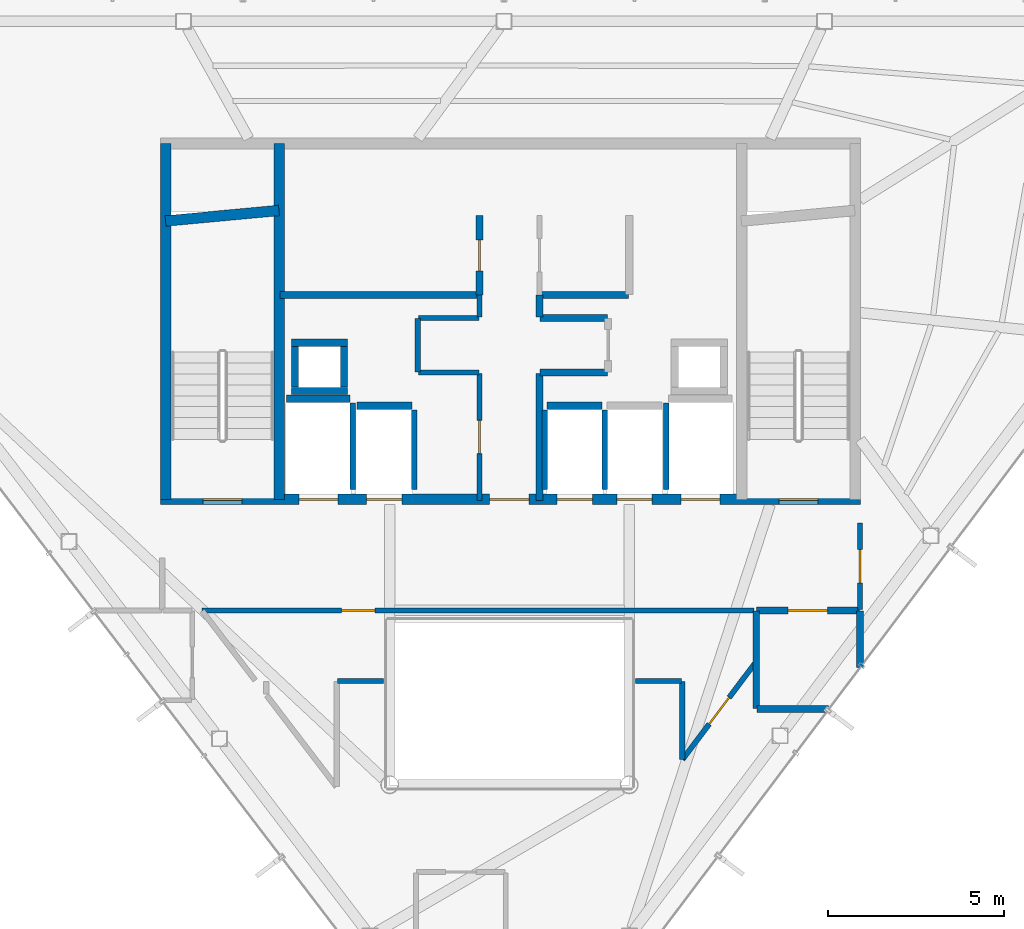
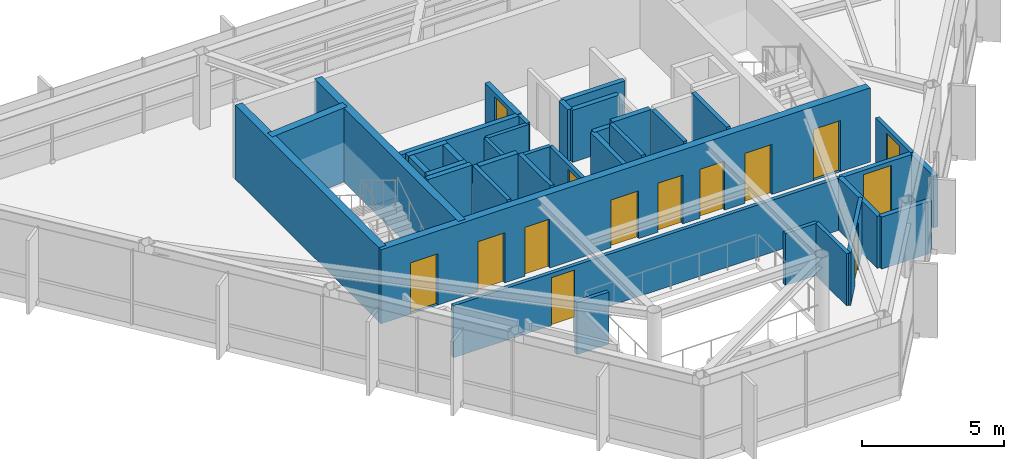
# One storey, part 20 of 22: 38 walls, 14 doors, 14 openings.
"""IFC4 building model written with IfcOpenShell, lengths in metres."""

from ifc_helpers import new_model, si_unit, direction, frame, frame_2d, origin, place, context, subcontext, project, spatial, rectangle, extrude, material, layer, layer_set, type_object, element, fill, save


model = new_model("IFC4")

# Units and contexts
model_context = context("Model", 3, precision=1e-05, world=origin(), true_north=direction((0.0, 1.0)))
body_context = subcontext(model_context, "Body", "Model", "MODEL_VIEW")
ifc_project = project(units=[si_unit("LENGTHUNIT", "METRE"), si_unit("AREAUNIT", "SQUARE_METRE"), si_unit("VOLUMEUNIT", "CUBIC_METRE"), si_unit("PLANEANGLEUNIT", "RADIAN"), si_unit("MASSUNIT", "GRAM", prefix="KILO")], contexts=[model_context])

# Site, building, storey
site_placement = place(None, origin())
site = spatial("IfcSite", under=ifc_project, at=site_placement, CompositionType="ELEMENT")
building_placement = place(site_placement, origin())
building = spatial("IfcBuilding", under=site, at=building_placement, Name="Zarrinselat Tower", CompositionType="ELEMENT")
storey_placement = place(building_placement, frame((0.0, 0.0, 292.39990234375)))
storey = spatial("IfcBuildingStorey", under=building, at=storey_placement, Name="L75", CompositionType="ELEMENT", Elevation=292.39990234375)

# Wall, opening, door
ifc_material_1 = material(Name="Concrete C40/50", Category="concrete")
ifc_layer_1 = layer(ifc_material_1, 0.18994140625)
ifc_layer_set_1 = layer_set([ifc_layer_1], Name="Concrete C40/50")
wall_type_1 = type_object("IfcWallType", Name="WAL-PART-EI120", PredefinedType="PARTITIONING", material=ifc_layer_set_1)
wall_1_placement = place(storey_placement, frame((45.405029296875, 30.14990234375, 0.0), z_axis=(0.0, 0.0, 1.0), x_axis=(1.0, 0.0, 0.0)))
wall_1 = element("IfcWall", 1, at=wall_1_placement, inside=storey, type_object=wall_type_1, Name="L75 Partition Wall 16", PredefinedType="PARTITIONING", context=body_context, shape_type="SweptSolid", body=[
    extrude(rectangle(XDim=2.925048828125, YDim=0.18994140625, at=frame_2d((1.46240234375, 0.0))), origin(), (0.0, 0.0, 1.0), 2.235107421875),
])
opening_1_placement = place(wall_1_placement, frame((0.902587890625, 0.0, 0.0)))
opening_1 = element("IfcOpeningElement", 2, at=opening_1_placement, cuts=wall_1, Name="Opening ID-02", PredefinedType="OPENING", context=body_context, shape_type="SweptSolid", body=[
    extrude(rectangle(XDim=1.1201171875, YDim=2.050048828125, at=frame_2d((0.56005859375, 1.02490234375))), frame((0.0, 0.10498046875, 0.0), z_axis=(0.0, -1.0, 0.0), x_axis=(1.0, 0.0, 0.0)), (0.0, 0.0, 1.0), 0.2099609375),
])
ifc_material_2 = material(Name="Steel S355J2", Category="steel")
door_type_1 = type_object("IfcDoorType", Name="DR-INT-FD60-W", OperationType="NOTDEFINED", PredefinedType="DOOR", material=ifc_material_2)
door_1_placement = place(opening_1_placement, origin())
door_1 = element("IfcDoor", 3, at=door_1_placement, inside=storey, type_object=door_type_1, Name="L75 Interior Door P16", OperationType="SINGLE_SWING_RIGHT", OverallHeight=2.050048828125, OverallWidth=1.1201171875, PredefinedType="DOOR", context=body_context, shape_type="SweptSolid", body=[
    extrude(rectangle(XDim=1.1201171875, YDim=2.050048828125, at=frame_2d((0.56005859375, 1.02490234375))), frame((0.0, 0.02490234375, 0.0), z_axis=(0.0, -1.0, 0.0), x_axis=(1.0, 0.0, 0.0)), (0.0, 0.0, 1.0), 0.050048828125),
])
fill(opening_1, door_1)

# Walls
wall_2_placement = place(storey_placement, frame((45.39990234375, 27.3701171875, 0.0), z_axis=(0.0, 0.0, 1.0), x_axis=(0.0, 1.0, 0.0)))
element("IfcWall", 4, at=wall_2_placement, inside=storey, type_object=wall_type_1, Name="L75 Partition Wall 21", PredefinedType="PARTITIONING", context=body_context, shape_type="SweptSolid", body=[
    extrude(rectangle(XDim=2.759765625, YDim=0.18994140625, at=frame_2d((1.3798828125, 0.0))), origin(), (0.0, 0.0, 1.0), 2.235107421875),
])
wall_3_placement = place(storey_placement, frame((45.419921875, 27.35009765625, 0.0), z_axis=(0.0, 0.0, 1.0), x_axis=(1.0, 0.0, 0.0)))
element("IfcWall", 5, at=wall_3_placement, inside=storey, type_object=wall_type_1, Name="L75 Partition Wall 22", PredefinedType="PARTITIONING", context=body_context, shape_type="SweptSolid", body=[
    extrude(rectangle(XDim=2.032470703125, YDim=0.18994140625, at=frame_2d((1.01611328125, 0.0))), origin(), (0.0, 0.0, 1.0), 2.235107421875),
])
wall_4_placement = place(storey_placement, frame((48.35009765625, 28.53662109375, 0.0), z_axis=(0.0, 0.0, 1.0), x_axis=(0.0, 1.0, 0.0)))
element("IfcWall", 6, at=wall_4_placement, inside=storey, type_object=wall_type_1, Name="L75 Partition Wall 23", PredefinedType="PARTITIONING", context=body_context, shape_type="SweptSolid", body=[
    extrude(rectangle(XDim=1.59326171875, YDim=0.18994140625, at=frame_2d((0.796630859375, 0.0))), origin(), (0.0, 0.0, 1.0), 2.235107421875),
])

# Wall, opening, door
ifc_material_3 = material(Name="Fire-Rated Gypsum Board Partition", Category="gypsum")
ifc_layer_2 = layer(ifc_material_3, 0.14990234375)
ifc_layer_set_2 = layer_set([ifc_layer_2], Name="Fire-Rated Gypsum Board Partition")
wall_type_2 = type_object("IfcWallType", Name="WAL-PART-EI60", PredefinedType="PARTITIONING", material=ifc_layer_set_2)
wall_5_placement = place(storey_placement, frame((37.550048828125, 33.264892578125, 0.0), z_axis=(0.0, 0.0, 1.0), x_axis=(0.0, 1.0, 0.0)))
wall_5 = element("IfcWall", 7, at=wall_5_placement, inside=storey, type_object=wall_type_2, Name="L75 Partition Wall 1", PredefinedType="PARTITIONING", context=body_context, shape_type="SweptSolid", body=[
    extrude(rectangle(XDim=3.614990234375, YDim=0.14990234375, at=frame_2d((1.8076171875, 0.0))), origin(), (0.0, 0.0, 1.0), 2.235107421875),
])
opening_2_placement = place(wall_5_placement, frame((1.33740234375, 0.0, 0.0)))
opening_2 = element("IfcOpeningElement", 8, at=opening_2_placement, cuts=wall_5, Name="Opening ID-04", PredefinedType="OPENING", context=body_context, shape_type="SweptSolid", body=[
    extrude(rectangle(XDim=0.93994140625, YDim=2.050048828125, at=frame_2d((0.469970703125, 1.02490234375))), frame((0.0, 0.0849609375, 0.0), z_axis=(0.0, -1.0, 0.0), x_axis=(1.0, 0.0, 0.0)), (0.0, 0.0, 1.0), 0.169921875),
])
ifc_material_4 = material(Name="Fire-Rated Gypsum Board Partition")
door_type_2 = type_object("IfcDoorType", Name="DR-INT-FD30-ENT", OperationType="NOTDEFINED", PredefinedType="DOOR", material=ifc_material_4)
door_2_placement = place(opening_2_placement, origin())
door_2 = element("IfcDoor", 9, at=door_2_placement, inside=storey, type_object=door_type_2, Name="L75 Interior Door P1", OperationType="SINGLE_SWING_RIGHT", OverallHeight=2.050048828125, OverallWidth=0.93994140625, PredefinedType="DOOR", context=body_context, shape_type="SweptSolid", body=[
    extrude(rectangle(XDim=0.93994140625, YDim=2.050048828125, at=frame_2d((0.469970703125, 1.02490234375))), frame((0.0, 0.02490234375, 0.0), z_axis=(0.0, -1.0, 0.0), x_axis=(1.0, 0.0, 0.0)), (0.0, 0.0, 1.0), 0.050048828125),
])
fill(opening_2, door_2)

# Walls
wall_6_placement = place(storey_placement, frame((35.820068359375, 36.89990234375, 0.0), z_axis=(0.0, 0.0, 1.0), x_axis=(1.0, 0.0, 0.0)))
element("IfcWall", 10, at=wall_6_placement, inside=storey, type_object=wall_type_2, Name="L75 Partition Wall 2", PredefinedType="PARTITIONING", context=body_context, shape_type="SweptSolid", body=[
    extrude(rectangle(XDim=1.7099609375, YDim=0.14990234375, at=frame_2d((0.85498046875, 0.0))), origin(), (0.0, 0.0, 1.0), 2.235107421875),
])
wall_7_placement = place(storey_placement, frame((35.800048828125, 36.919921875, 0.0), z_axis=(0.0, 0.0, 1.0), x_axis=(0.0, 1.0, 0.0)))
element("IfcWall", 11, at=wall_7_placement, inside=storey, type_object=wall_type_2, Name="L75 Partition Wall 3", PredefinedType="PARTITIONING", context=body_context, shape_type="SweptSolid", body=[
    extrude(rectangle(XDim=1.510009765625, YDim=0.14990234375, at=frame_2d((0.7548828125, 0.0))), origin(), (0.0, 0.0, 1.0), 2.235107421875),
])
wall_8_placement = place(storey_placement, frame((35.820068359375, 38.449951171875, 0.0), z_axis=(0.0, 0.0, 1.0), x_axis=(1.0, 0.0, 0.0)))
element("IfcWall", 12, at=wall_8_placement, inside=storey, type_object=wall_type_2, Name="L75 Partition Wall 4", PredefinedType="PARTITIONING", context=body_context, shape_type="SweptSolid", body=[
    extrude(rectangle(XDim=1.7099609375, YDim=0.14990234375, at=frame_2d((0.85498046875, 0.0))), origin(), (0.0, 0.0, 1.0), 2.235107421875),
])
wall_9_placement = place(storey_placement, frame((37.550048828125, 38.469970703125, 0.0), z_axis=(0.0, 0.0, 1.0), x_axis=(0.0, 1.0, 0.0)))
element("IfcWall", 13, at=wall_9_placement, inside=storey, type_object=wall_type_2, Name="L75 Partition Wall 5", PredefinedType="PARTITIONING", context=body_context, shape_type="SweptSolid", body=[
    extrude(rectangle(XDim=0.625, YDim=0.14990234375, at=frame_2d((0.3125, 0.0))), origin(), (0.0, 0.0, 1.0), 2.235107421875),
])

# Wall, opening, door
wall_10_placement = place(storey_placement, frame((29.674560546875, 30.14990234375, 0.0), z_axis=(0.0, 0.0, 1.0), x_axis=(1.0, 0.0, 0.0)))
wall_10 = element("IfcWall", 14, at=wall_10_placement, inside=storey, type_object=wall_type_2, Name="L75 Partition Wall 17", PredefinedType="PARTITIONING", context=body_context, shape_type="SweptSolid", body=[
    extrude(rectangle(XDim=15.67041015625, YDim=0.14990234375, at=frame_2d((7.835205078125, 0.0))), origin(), (0.0, 0.0, 1.0), 2.235107421875),
])
opening_3_placement = place(wall_10_placement, frame((3.965087890625, 0.0, 0.0)))
opening_3 = element("IfcOpeningElement", 15, at=opening_3_placement, cuts=wall_10, Name="Opening ID-04", PredefinedType="OPENING", context=body_context, shape_type="SweptSolid", body=[
    extrude(rectangle(XDim=0.93994140625, YDim=2.050048828125, at=frame_2d((0.469970703125, 1.02490234375))), frame((0.0, 0.0849609375, 0.0), z_axis=(0.0, -1.0, 0.0), x_axis=(1.0, 0.0, 0.0)), (0.0, 0.0, 1.0), 0.169921875),
])
door_3_placement = place(opening_3_placement, origin())
door_3 = element("IfcDoor", 16, at=door_3_placement, inside=storey, type_object=door_type_2, Name="L75 Interior Door P17", OperationType="SINGLE_SWING_LEFT", OverallHeight=2.050048828125, OverallWidth=0.93994140625, PredefinedType="DOOR", context=body_context, shape_type="SweptSolid", body=[
    extrude(rectangle(XDim=0.93994140625, YDim=2.050048828125, at=frame_2d((0.469970703125, 1.02490234375))), frame((0.0, 0.02490234375, 0.0), z_axis=(0.0, -1.0, 0.0), x_axis=(1.0, 0.0, 0.0)), (0.0, 0.0, 1.0), 0.050048828125),
])
fill(opening_3, door_3)

wall_11_placement = place(storey_placement, frame((48.35009765625, 30.169921875, 0.0), z_axis=(0.0, 0.0, 1.0), x_axis=(0.0, 1.0, 0.0)))
wall_11 = element("IfcWall", 17, at=wall_11_placement, inside=storey, type_object=wall_type_2, Name="L75 Partition Wall 20", PredefinedType="PARTITIONING", context=body_context, shape_type="SweptSolid", body=[
    extrude(rectangle(XDim=2.46533203125, YDim=0.14990234375, at=frame_2d((1.232666015625, 0.0))), origin(), (0.0, 0.0, 1.0), 2.235107421875),
])
opening_4_placement = place(wall_11_placement, frame((0.7626953125, 0.0, 0.0)))
opening_4 = element("IfcOpeningElement", 18, at=opening_4_placement, cuts=wall_11, Name="Opening ID-04", PredefinedType="OPENING", context=body_context, shape_type="SweptSolid", body=[
    extrude(rectangle(XDim=0.93994140625, YDim=2.050048828125, at=frame_2d((0.469970703125, 1.02490234375))), frame((0.0, 0.0849609375, 0.0), z_axis=(0.0, -1.0, 0.0), x_axis=(1.0, 0.0, 0.0)), (0.0, 0.0, 1.0), 0.169921875),
])
door_4_placement = place(opening_4_placement, origin())
door_4 = element("IfcDoor", 19, at=door_4_placement, inside=storey, type_object=door_type_2, Name="L75 Interior Door P20", OperationType="SINGLE_SWING_RIGHT", OverallHeight=2.050048828125, OverallWidth=0.93994140625, PredefinedType="DOOR", context=body_context, shape_type="SweptSolid", body=[
    extrude(rectangle(XDim=0.93994140625, YDim=2.050048828125, at=frame_2d((0.469970703125, 1.02490234375))), frame((0.0, 0.02490234375, 0.0), z_axis=(0.0, -1.0, 0.0), x_axis=(1.0, 0.0, 0.0)), (0.0, 0.0, 1.0), 0.050048828125),
])
fill(opening_4, door_4)

wall_12_placement = place(storey_placement, frame((43.31201171875, 25.92236328125, 0.0), z_axis=(0.0, 0.0, 1.0), x_axis=(0.60171699977, 0.798709366533, 0.0)))
wall_12 = element("IfcWall", 20, at=wall_12_placement, inside=storey, type_object=wall_type_2, Name="L75 Partition Wall 24", PredefinedType="PARTITIONING", context=body_context, shape_type="SweptSolid", body=[
    extrude(rectangle(XDim=3.455322265625, YDim=0.14990234375, at=frame_2d((1.7275390625, 0.0))), origin(), (0.0, 0.0, 1.0), 2.235107421875),
])
opening_5_placement = place(wall_12_placement, frame((1.257568359375, 0.0, 0.0)))
opening_5 = element("IfcOpeningElement", 21, at=opening_5_placement, cuts=wall_12, Name="Opening ID-04", PredefinedType="OPENING", context=body_context, shape_type="SweptSolid", body=[
    extrude(rectangle(XDim=0.93994140625, YDim=2.050048828125, at=frame_2d((0.469970703125, 1.02490234375))), frame((0.0, 0.0849609375, 0.0), z_axis=(0.0, -1.0, 0.0), x_axis=(1.0, 0.0, 0.0)), (0.0, 0.0, 1.0), 0.169921875),
])
door_5_placement = place(opening_5_placement, origin())
door_5 = element("IfcDoor", 22, at=door_5_placement, inside=storey, type_object=door_type_2, Name="L75 Interior Door P24", OperationType="SINGLE_SWING_LEFT", OverallHeight=2.050048828125, OverallWidth=0.93994140625, PredefinedType="DOOR", context=body_context, shape_type="SweptSolid", body=[
    extrude(rectangle(XDim=0.93994140625, YDim=2.050048828125, at=frame_2d((0.469970703125, 1.02490234375))), frame((0.0, 0.02490234375, 0.0), z_axis=(0.0, -1.0, 0.0), x_axis=(1.0, 0.0, 0.0)), (0.0, 0.0, 1.0), 0.050048828125),
])
fill(opening_5, door_5)

# Walls
wall_13_placement = place(storey_placement, frame((43.300048828125, 25.92626953125, 0.0), z_axis=(0.0, 0.0, 1.0), x_axis=(0.0, 1.0, 0.0)))
element("IfcWall", 23, at=wall_13_placement, inside=storey, type_object=wall_type_2, Name="L75 Partition Wall 25", PredefinedType="PARTITIONING", context=body_context, shape_type="SweptSolid", body=[
    extrude(rectangle(XDim=2.20361328125, YDim=0.14990234375, at=frame_2d((1.101806640625, 0.0))), origin(), (0.0, 0.0, 1.0), 2.235107421875),
])
for number, where, z_axis, x_axis, name in (
    (24, (41.97998046875, 28.14990234375, 0.0), (0.0, 0.0, 1.0), (1.0, 0.0, 0.0), "L75 Partition Wall 26"),
    (25, (33.52001953125, 28.14990234375, 0.0), (0.0, 0.0, 1.0), (1.0, 0.0, 0.0), "L75 Partition Wall 27"),
):
    element("IfcWall", number, at=place(storey_placement, frame(where, z_axis=z_axis, x_axis=x_axis)), inside=storey, type_object=wall_type_2, Name=name, PredefinedType="PARTITIONING", context=body_context, shape_type="SweptSolid", body=[
        extrude(rectangle(XDim=1.300048828125, YDim=0.14990234375, at=frame_2d((0.64990234375, 0.0))), origin(), (0.0, 0.0, 1.0), 2.235107421875),
    ])

# Wall, opening, door
ifc_material_5 = material(Name="Concrete C40/50", Category="concrete")
ifc_layer_3 = layer(ifc_material_5, 0.199951171875)
ifc_layer_set_3 = layer_set([ifc_layer_3], Name="Concrete C40/50")
wall_type_3 = type_object("IfcWallType", Name="WAL-PART-PLANT", PredefinedType="PARTITIONING", material=ifc_layer_set_3)
wall_14_placement = place(storey_placement, frame((37.550048828125, 39.10498046875, 0.0), z_axis=(0.0, 0.0, 1.0), x_axis=(0.0, 1.0, 0.0)))
wall_14 = element("IfcWall", 26, at=wall_14_placement, inside=storey, type_object=wall_type_3, Name="L75 Partition Wall 6", PredefinedType="PARTITIONING", context=body_context, shape_type="SweptSolid", body=[
    extrude(rectangle(XDim=2.2451171875, YDim=0.199951171875, at=frame_2d((1.12255859375, 0.0))), origin(), (0.0, 0.0, 1.0), 2.235107421875),
])
opening_6_placement = place(wall_14_placement, frame((0.6826171875, 0.0, 0.0)))
opening_6 = element("IfcOpeningElement", 27, at=opening_6_placement, cuts=wall_14, Name="Opening ID-03", PredefinedType="OPENING", context=body_context, shape_type="SweptSolid", body=[
    extrude(rectangle(XDim=0.8798828125, YDim=2.050048828125, at=frame_2d((0.43994140625, 1.02490234375))), frame((0.0, 0.10986328125, 0.0), z_axis=(0.0, -1.0, 0.0), x_axis=(1.0, 0.0, 0.0)), (0.0, 0.0, 1.0), 0.219970703125),
])
ifc_material_6 = material(Name="Steel S355J2", Category="steel")
door_type_3 = type_object("IfcDoorType", Name="DR-INT-FD60-S", OperationType="NOTDEFINED", PredefinedType="DOOR", material=ifc_material_6)
door_6_placement = place(opening_6_placement, origin())
door_6 = element("IfcDoor", 28, at=door_6_placement, inside=storey, type_object=door_type_3, Name="L75 Interior Door P6", OperationType="SINGLE_SWING_LEFT", OverallHeight=2.050048828125, OverallWidth=0.8798828125, PredefinedType="DOOR", context=body_context, shape_type="SweptSolid", body=[
    extrude(rectangle(XDim=0.8798828125, YDim=2.050048828125, at=frame_2d((0.43994140625, 1.02490234375))), frame((0.0, 0.02490234375, 0.0), z_axis=(0.0, -1.0, 0.0), x_axis=(1.0, 0.0, 0.0)), (0.0, 0.0, 1.0), 0.050048828125),
])
fill(opening_6, door_6)

# Walls
wall_15_placement = place(storey_placement, frame((39.25, 38.469970703125, 0.0), z_axis=(0.0, 0.0, 1.0), x_axis=(0.0, 1.0, 0.0)))
element("IfcWall", 29, at=wall_15_placement, inside=storey, type_object=wall_type_3, Name="L75 Partition Wall 7", PredefinedType="PARTITIONING", context=body_context, shape_type="SweptSolid", body=[
    extrude(rectangle(XDim=0.625, YDim=0.199951171875, at=frame_2d((0.3125, 0.0))), origin(), (0.0, 0.0, 1.0), 2.235107421875),
])
for number, where, z_axis, x_axis, name in (
    (30, (39.27001953125, 38.449951171875, 0.0), (0.0, 0.0, 1.0), (1.0, 0.0, 0.0), "L75 Partition Wall 8"),
    (31, (39.27001953125, 36.89990234375, 0.0), (0.0, 0.0, 1.0), (1.0, 0.0, 0.0), "L75 Partition Wall 10"),
):
    element("IfcWall", number, at=place(storey_placement, frame(where, z_axis=z_axis, x_axis=x_axis)), inside=storey, type_object=wall_type_3, Name=name, PredefinedType="PARTITIONING", context=body_context, shape_type="SweptSolid", body=[
        extrude(rectangle(XDim=1.909912109375, YDim=0.199951171875, at=frame_2d((0.955078125, 0.0))), origin(), (0.0, 0.0, 1.0), 2.235107421875),
    ])
wall_16_placement = place(storey_placement, frame((39.25, 33.264892578125, 0.0), z_axis=(0.0, 0.0, 1.0), x_axis=(0.0, 1.0, 0.0)))
element("IfcWall", 32, at=wall_16_placement, inside=storey, type_object=wall_type_3, Name="L75 Partition Wall 11", PredefinedType="PARTITIONING", context=body_context, shape_type="SweptSolid", body=[
    extrude(rectangle(XDim=3.614990234375, YDim=0.199951171875, at=frame_2d((1.8076171875, 0.0))), origin(), (0.0, 0.0, 1.0), 2.235107421875),
])
wall_17_placement = place(storey_placement, frame((31.885009765625, 39.10009765625, 0.0), z_axis=(0.0, 0.0, 1.0), x_axis=(1.0, 0.0, 0.0)))
element("IfcWall", 33, at=wall_17_placement, inside=storey, type_object=wall_type_3, Name="L75 Partition Wall 13", PredefinedType="PARTITIONING", context=body_context, shape_type="SweptSolid", body=[
    extrude(rectangle(XDim=5.64501953125, YDim=0.199951171875, at=frame_2d((2.822509765625, 0.0))), origin(), (0.0, 0.0, 1.0), 2.235107421875),
])
wall_18_placement = place(storey_placement, frame((39.27001953125, 39.10009765625, 0.0), z_axis=(0.0, 0.0, 1.0), x_axis=(1.0, 0.0, 0.0)))
element("IfcWall", 34, at=wall_18_placement, inside=storey, type_object=wall_type_3, Name="L75 Partition Wall 14", PredefinedType="PARTITIONING", context=body_context, shape_type="SweptSolid", body=[
    extrude(rectangle(XDim=2.510009765625, YDim=0.199951171875, at=frame_2d((1.2548828125, 0.0))), origin(), (0.0, 0.0, 1.0), 2.235107421875),
])
ifc_material_7 = material(Name="Concrete C40/50", Category="concrete")
ifc_layer_4 = layer(ifc_material_7, 0.2099609375)
ifc_layer_set_4 = layer_set([ifc_layer_4], Name="Concrete C40/50")
wall_type_4 = type_object("IfcWallType", Name="WAL-SHAFT-210", PredefinedType="SOLIDWALL", material=ifc_layer_set_4)
wall_19_placement = place(storey_placement, frame((32.080078125, 36.155029296875, 0.0), z_axis=(0.0, 0.0, 1.0), x_axis=(1.0, 0.0, 0.0)))
element("IfcWall", 35, at=wall_19_placement, inside=storey, type_object=wall_type_4, Name="L75 Lift FFL1 North Shaft Wall", PredefinedType="SOLIDWALL", context=body_context, shape_type="SweptSolid", body=[
    extrude(rectangle(XDim=1.7998046875, YDim=0.2099609375, at=frame_2d((0.89990234375, 0.0))), origin(), (0.0, 0.0, 1.0), 3.18017578125),
])
for number, where, z_axis, x_axis, name in (
    (36, (33.949951171875, 33.580078125, 0.0), (0.0, 0.0, 1.0), (0.0, 1.0, 0.0), "L75 Lift FFL1 E Shaft Wall"),
    (37, (42.85009765625, 33.580078125, 0.0), (0.0, 0.0, 1.0), (0.0, 1.0, 0.0), "L75 Lift FFL2 W Shaft Wall"),
):
    element("IfcWall", number, at=place(storey_placement, frame(where, z_axis=z_axis, x_axis=x_axis)), inside=storey, type_object=wall_type_4, Name=name, PredefinedType="SOLIDWALL", context=body_context, shape_type="SweptSolid", body=[
        extrude(rectangle(XDim=2.449951171875, YDim=0.159912109375, at=frame_2d((1.22509765625, 0.0))), origin(), (0.0, 0.0, 1.0), 3.18017578125),
    ])
wall_20_placement = place(storey_placement, frame((39.469970703125, 35.955078125, 0.0), z_axis=(0.0, 0.0, 1.0), x_axis=(1.0, 0.0, 0.0)))
element("IfcWall", 38, at=wall_20_placement, inside=storey, type_object=wall_type_4, Name="L75 Lift PL8 North Shaft Wall", PredefinedType="SOLIDWALL", context=body_context, shape_type="SweptSolid", body=[
    extrude(rectangle(XDim=1.56005859375, YDim=0.2099609375, at=frame_2d((0.780029296875, 0.0))), origin(), (0.0, 0.0, 1.0), 3.18017578125),
])
for number, where, z_axis, x_axis, name in (
    (39, (39.39990234375, 33.580078125, 0.0), (0.0, 0.0, 1.0), (0.0, 1.0, 0.0), "L75 Lift PL8 W Shaft Wall"),
    (40, (41.10009765625, 33.580078125, 0.0), (0.0, 0.0, 1.0), (0.0, 1.0, 0.0), "L75 Lift PL8 E Shaft Wall"),
):
    element("IfcWall", number, at=place(storey_placement, frame(where, z_axis=z_axis, x_axis=x_axis)), inside=storey, type_object=wall_type_4, Name=name, PredefinedType="SOLIDWALL", context=body_context, shape_type="SweptSolid", body=[
        extrude(rectangle(XDim=2.25, YDim=0.159912109375, at=frame_2d((1.125, 0.0))), origin(), (0.0, 0.0, 1.0), 3.18017578125),
    ])
wall_21_placement = place(storey_placement, frame((34.070068359375, 35.955078125, 0.0), z_axis=(0.0, 0.0, 1.0), x_axis=(1.0, 0.0, 0.0)))
element("IfcWall", 41, at=wall_21_placement, inside=storey, type_object=wall_type_4, Name="L75 Lift PL10 North Shaft Wall", PredefinedType="SOLIDWALL", context=body_context, shape_type="SweptSolid", body=[
    extrude(rectangle(XDim=1.559814453125, YDim=0.2099609375, at=frame_2d((0.77978515625, 0.0))), origin(), (0.0, 0.0, 1.0), 3.18017578125),
])
wall_22_placement = place(storey_placement, frame((35.699951171875, 33.580078125, 0.0), z_axis=(0.0, 0.0, 1.0), x_axis=(0.0, 1.0, 0.0)))
element("IfcWall", 42, at=wall_22_placement, inside=storey, type_object=wall_type_4, Name="L75 Lift PL10 E Shaft Wall", PredefinedType="SOLIDWALL", context=body_context, shape_type="SweptSolid", body=[
    extrude(rectangle(XDim=2.25, YDim=0.159912109375, at=frame_2d((1.125, 0.0))), origin(), (0.0, 0.0, 1.0), 3.18017578125),
])
for number, where, z_axis, x_axis, name in (
    (43, (32.2099609375, 36.375, 0.0), (0.0, 0.0, 1.0), (1.0, 0.0, 0.0), "L75 Core Riser RSR-W S Shaft Wall"),
    (44, (32.2099609375, 37.7451171875, 0.0), (0.0, 0.0, 1.0), (1.0, 0.0, 0.0), "L75 Core Riser RSR-W N Shaft Wall"),
):
    element("IfcWall", number, at=place(storey_placement, frame(where, z_axis=z_axis, x_axis=x_axis)), inside=storey, type_object=wall_type_4, Name=name, PredefinedType="SOLIDWALL", context=body_context, shape_type="SweptSolid", body=[
        extrude(rectangle(XDim=1.60009765625, YDim=0.2099609375, at=frame_2d((0.800048828125, 0.0))), origin(), (0.0, 0.0, 1.0), 3.18017578125),
    ])
for number, where, z_axis, x_axis, name in (
    (45, (32.31494140625, 36.485107421875, 0.0), (0.0, 0.0, 1.0), (0.0, 1.0, 0.0), "L75 Core Riser RSR-W W Shaft Wall"),
    (46, (33.705078125, 36.485107421875, 0.0), (0.0, 0.0, 1.0), (0.0, 1.0, 0.0), "L75 Core Riser RSR-W E Shaft Wall"),
):
    element("IfcWall", number, at=place(storey_placement, frame(where, z_axis=z_axis, x_axis=x_axis)), inside=storey, type_object=wall_type_4, Name=name, PredefinedType="SOLIDWALL", context=body_context, shape_type="SweptSolid", body=[
        extrude(rectangle(XDim=1.14990234375, YDim=0.2099609375, at=frame_2d((0.574951171875, 0.0))), origin(), (0.0, 0.0, 1.0), 3.18017578125),
    ])

# Wall, openings, doors
ifc_material_8 = material(Name="Concrete C40/50", Category="concrete")
ifc_layer_5 = layer(ifc_material_8, 0.300048828125)
ifc_layer_set_5 = layer_set([ifc_layer_5], Name="Concrete C40/50")
wall_type_5 = type_object("IfcWallType", Name="WAL-SHEAR-300", PredefinedType="SHEAR", material=ifc_layer_set_5)
wall_23_placement = place(storey_placement, frame((28.5, 33.300048828125, 0.0), z_axis=(0.0, 0.0, 1.0), x_axis=(1.0, 0.0, 0.0)))
wall_23 = element("IfcWall", 47, at=wall_23_placement, inside=storey, type_object=wall_type_5, Name="L75 South Core Shear Wall", PredefinedType="SHEAR", context=body_context, shape_type="SweptSolid", body=[
    extrude(rectangle(XDim=19.860107421875, YDim=0.300048828125, at=frame_2d((9.93017578125, 0.0))), origin(), (0.0, 0.0, 1.0), 3.18017578125),
])
opening_7_placement = place(wall_23_placement, frame((3.929931640625, 0.0, 0.0)))
opening_7 = element("IfcOpeningElement", 48, at=opening_7_placement, cuts=wall_23, Name="Opening LD-FFL1", PredefinedType="OPENING", context=body_context, shape_type="SweptSolid", body=[
    extrude(rectangle(XDim=1.10009765625, YDim=2.14990234375, at=frame_2d((0.550048828125, 1.074951171875))), frame((0.0, 0.159912109375, 0.0), z_axis=(0.0, -1.0, 0.0), x_axis=(1.0, 0.0, 0.0)), (0.0, 0.0, 1.0), 0.320068359375),
])
opening_8_placement = place(wall_23_placement, frame((14.77001953125, 0.0, 0.0)))
opening_8 = element("IfcOpeningElement", 49, at=opening_8_placement, cuts=wall_23, Name="Opening LD-FFL2", PredefinedType="OPENING", context=body_context, shape_type="SweptSolid", body=[
    extrude(rectangle(XDim=1.10009765625, YDim=2.14990234375, at=frame_2d((0.550048828125, 1.074951171875))), frame((0.0, 0.159912109375, 0.0), z_axis=(0.0, -1.0, 0.0), x_axis=(1.0, 0.0, 0.0)), (0.0, 0.0, 1.0), 0.320068359375),
])
opening_9_placement = place(wall_23_placement, frame((11.25, 0.0, 0.0)))
opening_9 = element("IfcOpeningElement", 50, at=opening_9_placement, cuts=wall_23, Name="Opening LD-PL8", PredefinedType="OPENING", context=body_context, shape_type="SweptSolid", body=[
    extrude(rectangle(XDim=1.0, YDim=2.10009765625, at=frame_2d((0.5, 1.050048828125))), frame((0.0, 0.159912109375, 0.0), z_axis=(0.0, -1.0, 0.0), x_axis=(1.0, 0.0, 0.0)), (0.0, 0.0, 1.0), 0.320068359375),
])
opening_10_placement = place(wall_23_placement, frame((12.949951171875, 0.0, 0.0)))
opening_10 = element("IfcOpeningElement", 51, at=opening_10_placement, cuts=wall_23, Name="Opening LD-PL9", PredefinedType="OPENING", context=body_context, shape_type="SweptSolid", body=[
    extrude(rectangle(XDim=1.0, YDim=2.10009765625, at=frame_2d((0.5, 1.050048828125))), frame((0.0, 0.159912109375, 0.0), z_axis=(0.0, -1.0, 0.0), x_axis=(1.0, 0.0, 0.0)), (0.0, 0.0, 1.0), 0.320068359375),
])
opening_11_placement = place(wall_23_placement, frame((5.85009765625, 0.0, 0.0)))
opening_11 = element("IfcOpeningElement", 52, at=opening_11_placement, cuts=wall_23, Name="Opening LD-PL10", PredefinedType="OPENING", context=body_context, shape_type="SweptSolid", body=[
    extrude(rectangle(XDim=1.0, YDim=2.10009765625, at=frame_2d((0.5, 1.050048828125))), frame((0.0, 0.159912109375, 0.0), z_axis=(0.0, -1.0, 0.0), x_axis=(1.0, 0.0, 0.0)), (0.0, 0.0, 1.0), 0.320068359375),
])
opening_12_placement = place(wall_23_placement, frame((1.2099609375, 0.0, 0.0)))
opening_12 = element("IfcOpeningElement", 53, at=opening_12_placement, cuts=wall_23, Name="Opening SD-01", PredefinedType="OPENING", context=body_context, shape_type="SweptSolid", body=[
    extrude(rectangle(XDim=1.10009765625, YDim=2.199951171875, at=frame_2d((0.550048828125, 1.10009765625))), frame((0.0, 0.159912109375, 0.0), z_axis=(0.0, -1.0, 0.0), x_axis=(1.0, 0.0, 0.0)), (0.0, 0.0, 1.0), 0.320068359375),
])
opening_13_placement = place(wall_23_placement, frame((9.340087890625, 0.0, 0.0)))
opening_13 = element("IfcOpeningElement", 54, at=opening_13_placement, cuts=wall_23, Name="Opening ID-02", PredefinedType="OPENING", context=body_context, shape_type="SweptSolid", body=[
    extrude(rectangle(XDim=1.1201171875, YDim=2.050048828125, at=frame_2d((0.56005859375, 1.02490234375))), frame((0.0, 0.159912109375, 0.0), z_axis=(0.0, -1.0, 0.0), x_axis=(1.0, 0.0, 0.0)), (0.0, 0.0, 1.0), 0.320068359375),
])
opening_14_placement = place(wall_23_placement, frame((17.550048828125, 0.0, 0.0)))
opening_14 = element("IfcOpeningElement", 55, at=opening_14_placement, cuts=wall_23, Name="Opening SD-01", PredefinedType="OPENING", context=body_context, shape_type="SweptSolid", body=[
    extrude(rectangle(XDim=1.10009765625, YDim=2.199951171875, at=frame_2d((0.550048828125, 1.10009765625))), frame((0.0, 0.159912109375, 0.0), z_axis=(0.0, -1.0, 0.0), x_axis=(1.0, 0.0, 0.0)), (0.0, 0.0, 1.0), 0.320068359375),
])
door_7_placement = place(opening_13_placement, origin())
door_7 = element("IfcDoor", 56, at=door_7_placement, inside=storey, type_object=door_type_1, Name="L75 Core Service Vestibule Fire Door", OperationType="SINGLE_SWING_LEFT", OverallHeight=2.050048828125, OverallWidth=1.1201171875, PredefinedType="DOOR", context=body_context, shape_type="SweptSolid", body=[
    extrude(rectangle(XDim=1.1201171875, YDim=2.050048828125, at=frame_2d((0.56005859375, 1.02490234375))), frame((0.0, 0.02490234375, 0.0), z_axis=(0.0, -1.0, 0.0), x_axis=(1.0, 0.0, 0.0)), (0.0, 0.0, 1.0), 0.050048828125),
])
fill(opening_13, door_7)
ifc_material_9 = material(Name="Steel S355J2", Category="steel")
door_type_4 = type_object("IfcDoorType", Name="DR-LIFT-FF-1100", OperationType="NOTDEFINED", PredefinedType="DOOR", material=ifc_material_9)
door_8_placement = place(opening_7_placement, origin())
door_8 = element("IfcDoor", 57, at=door_8_placement, inside=storey, type_object=door_type_4, Name="L75 Lift FFL1 Sliding Landing Door", OperationType="SLIDING_TO_LEFT", OverallHeight=2.14990234375, OverallWidth=1.10009765625, PredefinedType="DOOR", context=body_context, shape_type="SweptSolid", body=[
    extrude(rectangle(XDim=1.10009765625, YDim=2.14990234375, at=frame_2d((0.550048828125, 1.074951171875))), frame((0.0, 0.02490234375, 0.0), z_axis=(0.0, -1.0, 0.0), x_axis=(1.0, 0.0, 0.0)), (0.0, 0.0, 1.0), 0.050048828125),
])
fill(opening_7, door_8)
door_9_placement = place(opening_8_placement, origin())
door_9 = element("IfcDoor", 58, at=door_9_placement, inside=storey, type_object=door_type_4, Name="L75 Lift FFL2 Sliding Landing Door", OperationType="SLIDING_TO_RIGHT", OverallHeight=2.14990234375, OverallWidth=1.10009765625, PredefinedType="DOOR", context=body_context, shape_type="SweptSolid", body=[
    extrude(rectangle(XDim=1.10009765625, YDim=2.14990234375, at=frame_2d((0.550048828125, 1.074951171875))), frame((0.0, 0.02490234375, 0.0), z_axis=(0.0, -1.0, 0.0), x_axis=(1.0, 0.0, 0.0)), (0.0, 0.0, 1.0), 0.050048828125),
])
fill(opening_8, door_9)
ifc_material_10 = material(Name="Steel S355J2", Category="steel")
door_type_5 = type_object("IfcDoorType", Name="DR-LIFT-PS-1000", OperationType="NOTDEFINED", PredefinedType="DOOR", material=ifc_material_10)
door_10_placement = place(opening_9_placement, origin())
door_10 = element("IfcDoor", 59, at=door_10_placement, inside=storey, type_object=door_type_5, Name="L75 Lift PL8 Sliding Landing Door", OperationType="SLIDING_TO_RIGHT", OverallHeight=2.10009765625, OverallWidth=1.0, PredefinedType="DOOR", context=body_context, shape_type="SweptSolid", body=[
    extrude(rectangle(XDim=1.0, YDim=2.10009765625, at=frame_2d((0.5, 1.050048828125))), frame((0.0, 0.02490234375, 0.0), z_axis=(0.0, -1.0, 0.0), x_axis=(1.0, 0.0, 0.0)), (0.0, 0.0, 1.0), 0.050048828125),
])
fill(opening_9, door_10)
door_11_placement = place(opening_10_placement, origin())
door_11 = element("IfcDoor", 60, at=door_11_placement, inside=storey, type_object=door_type_5, Name="L75 Lift PL9 Sliding Landing Door", OperationType="SLIDING_TO_LEFT", OverallHeight=2.10009765625, OverallWidth=1.0, PredefinedType="DOOR", context=body_context, shape_type="SweptSolid", body=[
    extrude(rectangle(XDim=1.0, YDim=2.10009765625, at=frame_2d((0.5, 1.050048828125))), frame((0.0, 0.02490234375, 0.0), z_axis=(0.0, -1.0, 0.0), x_axis=(1.0, 0.0, 0.0)), (0.0, 0.0, 1.0), 0.050048828125),
])
fill(opening_10, door_11)
door_12_placement = place(opening_11_placement, origin())
door_12 = element("IfcDoor", 61, at=door_12_placement, inside=storey, type_object=door_type_5, Name="L75 Lift PL10 Sliding Landing Door", OperationType="SLIDING_TO_RIGHT", OverallHeight=2.10009765625, OverallWidth=1.0, PredefinedType="DOOR", context=body_context, shape_type="SweptSolid", body=[
    extrude(rectangle(XDim=1.0, YDim=2.10009765625, at=frame_2d((0.5, 1.050048828125))), frame((0.0, 0.02490234375, 0.0), z_axis=(0.0, -1.0, 0.0), x_axis=(1.0, 0.0, 0.0)), (0.0, 0.0, 1.0), 0.050048828125),
])
fill(opening_11, door_12)
ifc_material_11 = material(Name="Steel S355J2", Category="steel")
door_type_6 = type_object("IfcDoorType", Name="DR-STAIR-1100", OperationType="NOTDEFINED", PredefinedType="DOOR", material=ifc_material_11)
door_13_placement = place(opening_12_placement, origin())
door_13 = element("IfcDoor", 62, at=door_13_placement, inside=storey, type_object=door_type_6, Name="L75 Exit Stair 1 Fire Door", OperationType="SINGLE_SWING_LEFT", OverallHeight=2.199951171875, OverallWidth=1.10009765625, PredefinedType="DOOR", context=body_context, shape_type="SweptSolid", body=[
    extrude(rectangle(XDim=1.10009765625, YDim=2.199951171875, at=frame_2d((0.550048828125, 1.10009765625))), frame((0.0, 0.02490234375, 0.0), z_axis=(0.0, -1.0, 0.0), x_axis=(1.0, 0.0, 0.0)), (0.0, 0.0, 1.0), 0.050048828125),
])
fill(opening_12, door_13)
door_14_placement = place(opening_14_placement, origin())
door_14 = element("IfcDoor", 63, at=door_14_placement, inside=storey, type_object=door_type_6, Name="L75 Exit Stair 2 Fire Door", OperationType="SINGLE_SWING_RIGHT", OverallHeight=2.199951171875, OverallWidth=1.10009765625, PredefinedType="DOOR", context=body_context, shape_type="SweptSolid", body=[
    extrude(rectangle(XDim=1.10009765625, YDim=2.199951171875, at=frame_2d((0.550048828125, 1.10009765625))), frame((0.0, 0.02490234375, 0.0), z_axis=(0.0, -1.0, 0.0), x_axis=(1.0, 0.0, 0.0)), (0.0, 0.0, 1.0), 0.050048828125),
])
fill(opening_14, door_14)

# Walls
for number, where, z_axis, x_axis, name in (
    (64, (28.64990234375, 33.300048828125, 0.0), (0.0, 0.0, 1.0), (0.0, 1.0, 0.0), "L75 Core Shear Wall W"),
    (65, (31.8701171875, 33.300048828125, 0.0), (0.0, 0.0, 1.0), (0.0, 1.0, 0.0), "L75 Core Shear Wall ST1E"),
):
    element("IfcWall", number, at=place(storey_placement, frame(where, z_axis=z_axis, x_axis=x_axis)), inside=storey, type_object=wall_type_5, Name=name, PredefinedType="SHEAR", context=body_context, shape_type="SweptSolid", body=[
        extrude(rectangle(XDim=10.099853515625, YDim=0.300048828125, at=frame_2d((5.0498046875, 0.0))), origin(), (0.0, 0.0, 1.0), 3.18017578125),
    ])
wall_24_placement = place(storey_placement, frame((28.639892578125, 41.199951171875, 0.0), z_axis=(0.0, 0.0, 1.0), x_axis=(0.995687118776, 0.092774789157, 0.0)))
element("IfcWall", 66, at=wall_24_placement, inside=storey, type_object=wall_type_5, Name="L75 Stair 1 North Shaft Wall", PredefinedType="SHEAR", context=body_context, shape_type="SweptSolid", body=[
    extrude(rectangle(XDim=3.234130859375, YDim=0.300048828125, at=frame_2d((1.6171875, 0.0))), origin(), (0.0, 0.0, 1.0), 3.18017578125),
])

save(model, "model.ifc")
